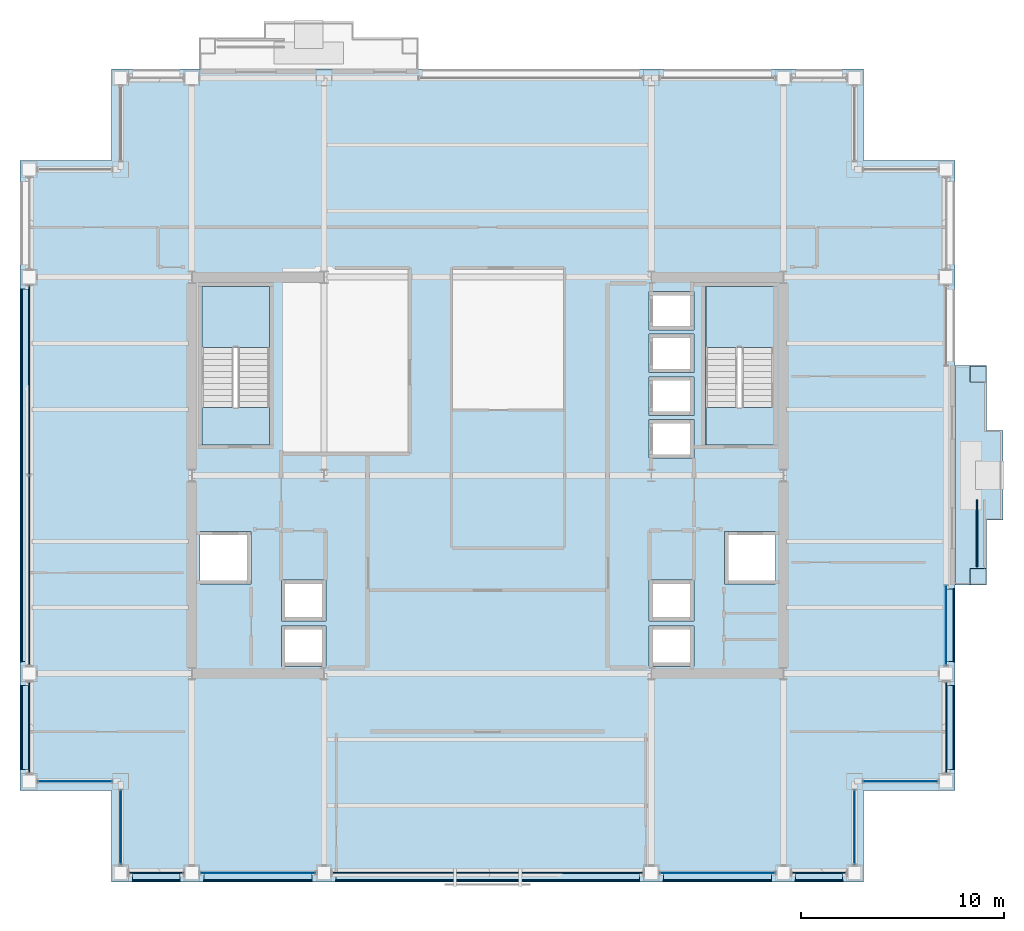
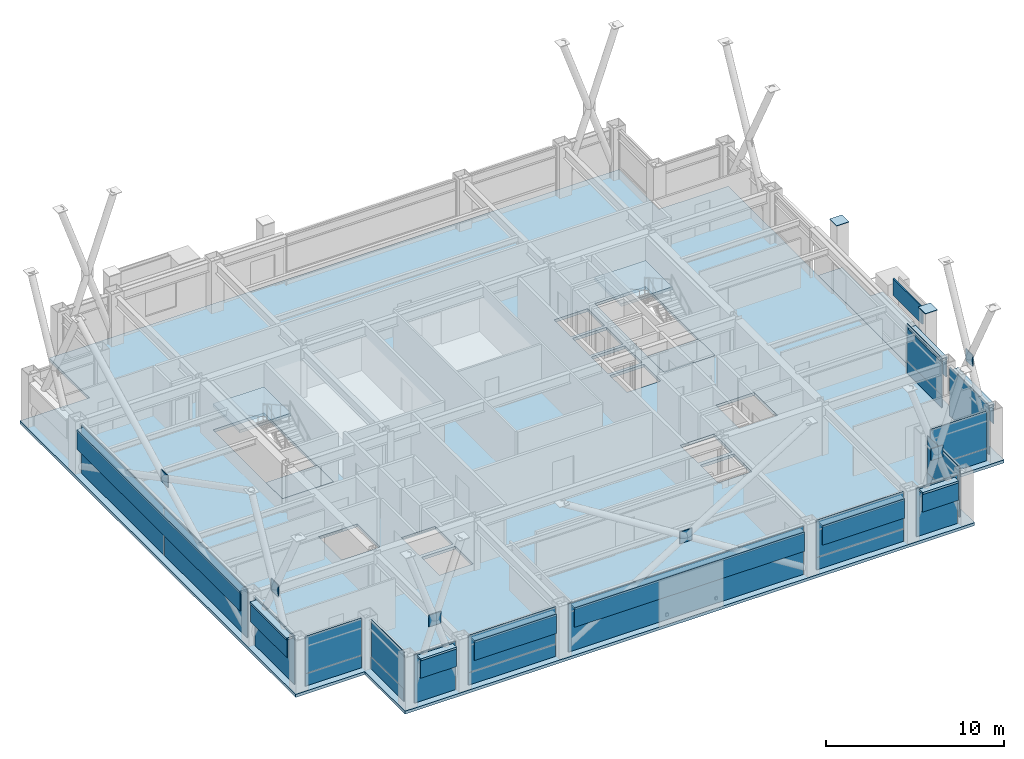
# One storey, part 27 of 35: 48 plates, 6 slabs, 15 elements without a shape of their own.
"""IFC4 building model written with IfcOpenShell, lengths in metres."""

from ifc_helpers import new_model, si_unit, direction, frame, origin, origin_2d, place, context, subcontext, project, spatial, polyline, rectangle, outline, extrude, material, layer, layer_set, type_object, element, aggregate, save


model = new_model("IFC4")

# Units and contexts
model_context = context("Model", 3, precision=1e-05, world=origin(), true_north=direction((0.0, 1.0)))
body_context = subcontext(model_context, "Body", "Model", "MODEL_VIEW")
ifc_project = project(units=[si_unit("LENGTHUNIT", "METRE"), si_unit("AREAUNIT", "SQUARE_METRE"), si_unit("VOLUMEUNIT", "CUBIC_METRE"), si_unit("PLANEANGLEUNIT", "RADIAN"), si_unit("MASSUNIT", "GRAM", prefix="KILO")], contexts=[model_context])

# Site, building, storey
site_placement = place(None, origin())
site = spatial("IfcSite", under=ifc_project, at=site_placement, CompositionType="ELEMENT")
building_placement = place(site_placement, origin())
building = spatial("IfcBuilding", under=site, at=building_placement, Name="Brelmoor Portico Tower", CompositionType="ELEMENT")
storey_placement = place(building_placement, frame((0.0, 0.0, 131.39990234375)))
storey = spatial("IfcBuildingStorey", under=building, at=storey_placement, Name="L34", CompositionType="ELEMENT", Elevation=131.39990234375)

# Plates
ifc_material_1 = material(Name="Steel Q355B", Category="steel")
ifc_layer_1 = layer(ifc_material_1, 0.044921875)
ifc_layer_set_1 = layer_set([ifc_layer_1], Name="Steel Q355B")
plate_type_1 = type_object("IfcPlateType", Name="PT-CAP-650", PredefinedType="SHEET", material=ifc_layer_set_1)
for number, where, z_axis, x_axis, name in (
    (1, (24.1298828125, -4.97998046875, 3.60009765625), (0.0, 0.0, 1.0), (0.0, 1.0, 0.0), "L34 Proud Picture-Frame Pier PFJ-E1 Welded Head Cap Plate"),
    (2, (24.1298828125, 4.97998046875, 3.60009765625), (0.0, 0.0, 1.0), (0.0, 1.0, 0.0), "L34 Proud Picture-Frame Pier PFJ-E2 Welded Head Cap Plate"),
):
    element("IfcPlate", number, at=place(storey_placement, frame(where, z_axis=z_axis, x_axis=x_axis)), inside=storey, type_object=plate_type_1, Name=name, PredefinedType="SHEET", context=body_context, shape_type="SweptSolid", body=[
        extrude(rectangle(XDim=0.7900390625, YDim=0.7900390625, at=origin_2d()), origin(), (0.0, 0.0, 1.0), 0.0400390625),
    ])

# Curtain wall, plate
ifc_material_2 = material(Name="Anodised Aluminium Alloy 6063-T6", Category="aluminium")
ifc_layer_2 = layer(ifc_material_2, 0.179931640625)
ifc_layer_set_2 = layer_set([ifc_layer_2], Name="Anodised Aluminium Alloy 6063-T6")
curtain_wall_type_1 = type_object("IfcCurtainWallType", Name="CW-TOWER-Z2", PredefinedType="NOTDEFINED", material=ifc_layer_set_2)
curtain_wall_1_placement = place(storey_placement, origin())
curtain_wall_1 = element("IfcCurtainWall", 3, at=curtain_wall_1_placement, inside=storey, type_object=curtain_wall_type_1, Name="L34 Curtain Wall CW-L34-01-2", PredefinedType="NOTDEFINED")
ifc_material_3 = material(Name="Double-Silver Low-E Insulated Glazing", Category="glass")
ifc_layer_3 = layer(ifc_material_3, 0.035888671875)
ifc_layer_set_3 = layer_set([ifc_layer_3], Name="Double-Silver Low-E Insulated Glazing")
plate_type_2 = type_object("IfcPlateType", Name="PT-CW-GLASS", PredefinedType="CURTAIN_PANEL", material=ifc_layer_set_3)
plate_1_placement = place(storey_placement, frame((-11.300048828125, -19.550048828125, 0.85009765625), z_axis=(0.0, 0.0, 1.0), x_axis=(1.0, 0.0, 0.0)))
plate_1 = element("IfcPlate", 4, at=plate_1_placement, type_object=plate_type_2, Name="CW-L34-01-2 Vision Glass Panel 00", PredefinedType="CURTAIN_PANEL", context=body_context, shape_type="SweptSolid", body=[
    extrude(rectangle(XDim=5.64990234375, YDim=0.035888671875, at=origin_2d()), origin(), (0.0, 0.0, 1.0), 2.550048828125),
])

curtain_wall_2_placement = place(storey_placement, origin())
curtain_wall_2 = element("IfcCurtainWall", 5, at=curtain_wall_2_placement, inside=storey, type_object=curtain_wall_type_1, Name="L34 Curtain Wall CW-L34-01-4", PredefinedType="NOTDEFINED")
plate_2_placement = place(storey_placement, frame((11.300048828125, -19.550048828125, 0.85009765625), z_axis=(0.0, 0.0, 1.0), x_axis=(1.0, 0.0, 0.0)))
plate_2 = element("IfcPlate", 6, at=plate_2_placement, type_object=plate_type_2, Name="CW-L34-01-4 Vision Glass Panel 00", PredefinedType="CURTAIN_PANEL", context=body_context, shape_type="SweptSolid", body=[
    extrude(rectangle(XDim=5.64990234375, YDim=0.035888671875, at=origin_2d()), origin(), (0.0, 0.0, 1.0), 2.550048828125),
])

curtain_wall_3_placement = place(storey_placement, origin())
curtain_wall_3 = element("IfcCurtainWall", 7, at=curtain_wall_3_placement, inside=storey, type_object=curtain_wall_type_1, Name="L34 Curtain Wall CW-L34-4L-2", PredefinedType="NOTDEFINED")
plate_3_placement = place(storey_placement, frame((22.550048828125, -7.3701171875, 0.85009765625), z_axis=(0.0, 0.0, 1.0), x_axis=(0.0, 1.0, 0.0)))
plate_3 = element("IfcPlate", 8, at=plate_3_placement, type_object=plate_type_2, Name="CW-L34-4L-2 Vision Glass Panel 00", PredefinedType="CURTAIN_PANEL", context=body_context, shape_type="SweptSolid", body=[
    extrude(rectangle(XDim=3.909912109375, YDim=0.035888671875, at=origin_2d()), origin(), (0.0, 0.0, 1.0), 2.550048828125),
])

ifc_layer_4 = layer(ifc_material_2, 0.179931640625)
ifc_layer_set_4 = layer_set([ifc_layer_4], Name="Anodised Aluminium Alloy 6063-T6")
curtain_wall_type_2 = type_object("IfcCurtainWallType", Name="CW-NOTCH-CHAMFER", PredefinedType="NOTDEFINED", material=ifc_layer_set_4)
curtain_wall_4_placement = place(storey_placement, origin())
curtain_wall_4 = element("IfcCurtainWall", 9, at=curtain_wall_4_placement, inside=storey, type_object=curtain_wall_type_2, Name="L34 Curtain Wall CWN-L34-SWH", PredefinedType="NOTDEFINED")
plate_4_placement = place(storey_placement, frame((-20.300048828125, -15.050048828125, 0.85009765625), z_axis=(0.0, 0.0, 1.0), x_axis=(1.0, 0.0, 0.0)))
plate_4 = element("IfcPlate", 10, at=plate_4_placement, type_object=plate_type_2, Name="CWN-L34-SWH Vision Glass Panel 00", PredefinedType="CURTAIN_PANEL", context=body_context, shape_type="SweptSolid", body=[
    extrude(rectangle(XDim=3.64990234375, YDim=0.035888671875, at=origin_2d()), origin(), (0.0, 0.0, 1.0), 2.550048828125),
])

curtain_wall_5_placement = place(storey_placement, origin())
curtain_wall_5 = element("IfcCurtainWall", 11, at=curtain_wall_5_placement, inside=storey, type_object=curtain_wall_type_2, Name="L34 Curtain Wall CWN-L34-SWV", PredefinedType="NOTDEFINED")
plate_5_placement = place(storey_placement, frame((-18.050048828125, -17.300048828125, 0.85009765625), z_axis=(0.0, 0.0, 1.0), x_axis=(0.0, 1.0, 0.0)))
plate_5 = element("IfcPlate", 12, at=plate_5_placement, type_object=plate_type_2, Name="CWN-L34-SWV Vision Glass Panel 00", PredefinedType="CURTAIN_PANEL", context=body_context, shape_type="SweptSolid", body=[
    extrude(rectangle(XDim=3.64990234375, YDim=0.035888671875, at=origin_2d()), origin(), (0.0, 0.0, 1.0), 2.550048828125),
])

curtain_wall_6_placement = place(storey_placement, origin())
curtain_wall_6 = element("IfcCurtainWall", 13, at=curtain_wall_6_placement, inside=storey, type_object=curtain_wall_type_2, Name="L34 Curtain Wall CWN-L34-SEH", PredefinedType="NOTDEFINED")
plate_6_placement = place(storey_placement, frame((20.300048828125, -15.050048828125, 0.85009765625), z_axis=(0.0, 0.0, 1.0), x_axis=(1.0, 0.0, 0.0)))
plate_6 = element("IfcPlate", 14, at=plate_6_placement, type_object=plate_type_2, Name="CWN-L34-SEH Vision Glass Panel 00", PredefinedType="CURTAIN_PANEL", context=body_context, shape_type="SweptSolid", body=[
    extrude(rectangle(XDim=3.64990234375, YDim=0.035888671875, at=origin_2d()), origin(), (0.0, 0.0, 1.0), 2.550048828125),
])

curtain_wall_7_placement = place(storey_placement, origin())
curtain_wall_7 = element("IfcCurtainWall", 15, at=curtain_wall_7_placement, inside=storey, type_object=curtain_wall_type_2, Name="L34 Curtain Wall CWN-L34-SEV", PredefinedType="NOTDEFINED")
plate_7_placement = place(storey_placement, frame((18.050048828125, -17.300048828125, 0.85009765625), z_axis=(0.0, 0.0, 1.0), x_axis=(0.0, 1.0, 0.0)))
plate_7 = element("IfcPlate", 16, at=plate_7_placement, type_object=plate_type_2, Name="CWN-L34-SEV Vision Glass Panel 00", PredefinedType="CURTAIN_PANEL", context=body_context, shape_type="SweptSolid", body=[
    extrude(rectangle(XDim=3.64990234375, YDim=0.035888671875, at=origin_2d()), origin(), (0.0, 0.0, 1.0), 2.550048828125),
])

ifc_layer_5 = layer(ifc_material_2, 0.179931640625)
ifc_layer_set_5 = layer_set([ifc_layer_5], Name="Anodised Aluminium Alloy 6063-T6")
curtain_wall_type_3 = type_object("IfcCurtainWallType", Name="CW-TOWER-Z2-XB", PredefinedType="NOTDEFINED", material=ifc_layer_set_5)
curtain_wall_8_placement = place(storey_placement, origin())
curtain_wall_8 = element("IfcCurtainWall", 17, at=curtain_wall_8_placement, inside=storey, type_object=curtain_wall_type_3, Name="L34 Curtain Wall CW-L34-01-1", PredefinedType="NOTDEFINED")
ifc_material_4 = material(Name="Pale Champagne Anodised Aluminium Panel", Category="aluminium")
ifc_layer_6 = layer(ifc_material_4, 0.050048828125)
ifc_layer_set_6 = layer_set([ifc_layer_6], Name="Pale Champagne Anodised Aluminium Panel")
plate_type_3 = type_object("IfcPlateType", Name="PT-CW-SPANDREL", PredefinedType="SHEET", material=ifc_layer_set_6)
plate_8_placement = place(storey_placement, frame((-16.300048828125, -19.550048828125, 0.0), z_axis=(0.0, 0.0, 1.0), x_axis=(1.0, 0.0, 0.0)))
plate_8 = element("IfcPlate", 18, at=plate_8_placement, type_object=plate_type_3, Name="CW-L34-01-1 Spandrel Panel 00", PredefinedType="SHEET", context=body_context, shape_type="SweptSolid", body=[
    extrude(rectangle(XDim=2.64990234375, YDim=0.050048828125, at=origin_2d()), origin(), (0.0, 0.0, 1.0), 3.330078125),
])
aggregate(curtain_wall_8, [plate_8])

# Plate
plate_9_placement = place(storey_placement, frame((-11.300048828125, -19.550048828125, 0.0), z_axis=(0.0, 0.0, 1.0), x_axis=(1.0, 0.0, 0.0)))
plate_9 = element("IfcPlate", 19, at=plate_9_placement, type_object=plate_type_3, Name="CW-L34-01-2 Spandrel Panel 00", PredefinedType="SHEET", context=body_context, shape_type="SweptSolid", body=[
    extrude(rectangle(XDim=5.64990234375, YDim=0.050048828125, at=origin_2d()), origin(), (0.0, 0.0, 1.0), 0.85009765625),
])

aggregate(curtain_wall_1, [plate_9, plate_1])

# Curtain wall, plate
curtain_wall_9_placement = place(storey_placement, origin())
curtain_wall_9 = element("IfcCurtainWall", 20, at=curtain_wall_9_placement, inside=storey, type_object=curtain_wall_type_3, Name="L34 Curtain Wall CW-L34-01-3", PredefinedType="NOTDEFINED")
plate_10_placement = place(storey_placement, frame((0.0, -19.550048828125, 0.0), z_axis=(0.0, 0.0, 1.0), x_axis=(1.0, 0.0, 0.0)))
plate_10 = element("IfcPlate", 21, at=plate_10_placement, type_object=plate_type_3, Name="CW-L34-01-3 Spandrel Panel 00", PredefinedType="SHEET", context=body_context, shape_type="SweptSolid", body=[
    extrude(rectangle(XDim=15.25, YDim=0.050048828125, at=origin_2d()), origin(), (0.0, 0.0, 1.0), 3.330078125),
])
aggregate(curtain_wall_9, [plate_10])

# Plate
plate_11_placement = place(storey_placement, frame((11.300048828125, -19.550048828125, 0.0), z_axis=(0.0, 0.0, 1.0), x_axis=(1.0, 0.0, 0.0)))
plate_11 = element("IfcPlate", 22, at=plate_11_placement, type_object=plate_type_3, Name="CW-L34-01-4 Spandrel Panel 00", PredefinedType="SHEET", context=body_context, shape_type="SweptSolid", body=[
    extrude(rectangle(XDim=5.64990234375, YDim=0.050048828125, at=origin_2d()), origin(), (0.0, 0.0, 1.0), 0.85009765625),
])

aggregate(curtain_wall_2, [plate_11, plate_2])

# Curtain wall, plate
curtain_wall_10_placement = place(storey_placement, origin())
curtain_wall_10 = element("IfcCurtainWall", 23, at=curtain_wall_10_placement, inside=storey, type_object=curtain_wall_type_3, Name="L34 Curtain Wall CW-L34-01-5", PredefinedType="NOTDEFINED")
plate_12_placement = place(storey_placement, frame((16.300048828125, -19.550048828125, 0.0), z_axis=(0.0, 0.0, 1.0), x_axis=(1.0, 0.0, 0.0)))
plate_12 = element("IfcPlate", 24, at=plate_12_placement, type_object=plate_type_3, Name="CW-L34-01-5 Spandrel Panel 00", PredefinedType="SHEET", context=body_context, shape_type="SweptSolid", body=[
    extrude(rectangle(XDim=2.64990234375, YDim=0.050048828125, at=origin_2d()), origin(), (0.0, 0.0, 1.0), 3.330078125),
])
aggregate(curtain_wall_10, [plate_12])

curtain_wall_11_placement = place(storey_placement, origin())
curtain_wall_11 = element("IfcCurtainWall", 25, at=curtain_wall_11_placement, inside=storey, type_object=curtain_wall_type_3, Name="L34 Curtain Wall CW-L34-03-1", PredefinedType="NOTDEFINED")
plate_13_placement = place(storey_placement, frame((-22.550048828125, -12.39990234375, 0.0), z_axis=(0.0, 0.0, 1.0), x_axis=(0.0, 1.0, 0.0)))
plate_13 = element("IfcPlate", 26, at=plate_13_placement, type_object=plate_type_3, Name="CW-L34-03-1 Spandrel Panel 00", PredefinedType="SHEET", context=body_context, shape_type="SweptSolid", body=[
    extrude(rectangle(XDim=4.449951171875, YDim=0.050048828125, at=origin_2d()), origin(), (0.0, 0.0, 1.0), 3.330078125),
])
aggregate(curtain_wall_11, [plate_13])

# Curtain wall, plates
curtain_wall_12_placement = place(storey_placement, origin())
curtain_wall_12 = element("IfcCurtainWall", 27, at=curtain_wall_12_placement, inside=storey, type_object=curtain_wall_type_3, Name="L34 Curtain Wall CW-L34-03-2", PredefinedType="NOTDEFINED")
plate_14_placement = place(storey_placement, frame((-22.550048828125, -4.669921875, 0.0), z_axis=(0.0, 0.0, 1.0), x_axis=(0.0, 1.0, 0.0)))
plate_14 = element("IfcPlate", 28, at=plate_14_placement, type_object=plate_type_3, Name="CW-L34-03-2 Spandrel Panel 00", PredefinedType="SHEET", context=body_context, shape_type="SweptSolid", body=[
    extrude(rectangle(XDim=9.31005859375, YDim=0.050048828125, at=origin_2d()), origin(), (0.0, 0.0, 1.0), 3.330078125),
])
plate_15_placement = place(storey_placement, frame((-22.550048828125, 4.669921875, 0.0), z_axis=(0.0, 0.0, 1.0), x_axis=(0.0, 1.0, 0.0)))
plate_15 = element("IfcPlate", 29, at=plate_15_placement, type_object=plate_type_3, Name="CW-L34-03-2 Spandrel Panel 01", PredefinedType="SHEET", context=body_context, shape_type="SweptSolid", body=[
    extrude(rectangle(XDim=9.31005859375, YDim=0.050048828125, at=origin_2d()), origin(), (0.0, 0.0, 1.0), 3.330078125),
])
aggregate(curtain_wall_12, [plate_14, plate_15])

# Curtain wall, plate
curtain_wall_13_placement = place(storey_placement, origin())
curtain_wall_13 = element("IfcCurtainWall", 30, at=curtain_wall_13_placement, inside=storey, type_object=curtain_wall_type_3, Name="L34 Curtain Wall CW-L34-4L-1", PredefinedType="NOTDEFINED")
plate_16_placement = place(storey_placement, frame((22.550048828125, -12.39990234375, 0.0), z_axis=(0.0, 0.0, 1.0), x_axis=(0.0, 1.0, 0.0)))
plate_16 = element("IfcPlate", 31, at=plate_16_placement, type_object=plate_type_3, Name="CW-L34-4L-1 Spandrel Panel 00", PredefinedType="SHEET", context=body_context, shape_type="SweptSolid", body=[
    extrude(rectangle(XDim=4.449951171875, YDim=0.050048828125, at=origin_2d()), origin(), (0.0, 0.0, 1.0), 3.330078125),
])
aggregate(curtain_wall_13, [plate_16])

# Plate
plate_17_placement = place(storey_placement, frame((22.550048828125, -7.3701171875, 0.0), z_axis=(0.0, 0.0, 1.0), x_axis=(0.0, 1.0, 0.0)))
plate_17 = element("IfcPlate", 32, at=plate_17_placement, type_object=plate_type_3, Name="CW-L34-4L-2 Spandrel Panel 00", PredefinedType="SHEET", context=body_context, shape_type="SweptSolid", body=[
    extrude(rectangle(XDim=3.909912109375, YDim=0.050048828125, at=origin_2d()), origin(), (0.0, 0.0, 1.0), 0.85009765625),
])

aggregate(curtain_wall_3, [plate_17, plate_3])

plate_18_placement = place(storey_placement, frame((-20.300048828125, -15.050048828125, 0.0), z_axis=(0.0, 0.0, 1.0), x_axis=(1.0, 0.0, 0.0)))
plate_18 = element("IfcPlate", 33, at=plate_18_placement, type_object=plate_type_3, Name="CWN-L34-SWH Spandrel Panel 00", PredefinedType="SHEET", context=body_context, shape_type="SweptSolid", body=[
    extrude(rectangle(XDim=3.64990234375, YDim=0.050048828125, at=origin_2d()), origin(), (0.0, 0.0, 1.0), 0.85009765625),
])

aggregate(curtain_wall_4, [plate_18, plate_4])

plate_19_placement = place(storey_placement, frame((-18.050048828125, -17.300048828125, 0.0), z_axis=(0.0, 0.0, 1.0), x_axis=(0.0, 1.0, 0.0)))
plate_19 = element("IfcPlate", 34, at=plate_19_placement, type_object=plate_type_3, Name="CWN-L34-SWV Spandrel Panel 00", PredefinedType="SHEET", context=body_context, shape_type="SweptSolid", body=[
    extrude(rectangle(XDim=3.64990234375, YDim=0.050048828125, at=origin_2d()), origin(), (0.0, 0.0, 1.0), 0.85009765625),
])

aggregate(curtain_wall_5, [plate_19, plate_5])

plate_20_placement = place(storey_placement, frame((20.300048828125, -15.050048828125, 0.0), z_axis=(0.0, 0.0, 1.0), x_axis=(1.0, 0.0, 0.0)))
plate_20 = element("IfcPlate", 35, at=plate_20_placement, type_object=plate_type_3, Name="CWN-L34-SEH Spandrel Panel 00", PredefinedType="SHEET", context=body_context, shape_type="SweptSolid", body=[
    extrude(rectangle(XDim=3.64990234375, YDim=0.050048828125, at=origin_2d()), origin(), (0.0, 0.0, 1.0), 0.85009765625),
])

aggregate(curtain_wall_6, [plate_20, plate_6])

plate_21_placement = place(storey_placement, frame((18.050048828125, -17.300048828125, 0.0), z_axis=(0.0, 0.0, 1.0), x_axis=(0.0, 1.0, 0.0)))
plate_21 = element("IfcPlate", 36, at=plate_21_placement, type_object=plate_type_3, Name="CWN-L34-SEV Spandrel Panel 00", PredefinedType="SHEET", context=body_context, shape_type="SweptSolid", body=[
    extrude(rectangle(XDim=3.64990234375, YDim=0.050048828125, at=origin_2d()), origin(), (0.0, 0.0, 1.0), 0.85009765625),
])

aggregate(curtain_wall_7, [plate_21, plate_7])

# Plates
ifc_layer_7 = layer(ifc_material_1, 0.050048828125)
ifc_layer_set_7 = layer_set([ifc_layer_7], Name="Steel Q355B")
plate_type_4 = type_object("IfcPlateType", Name="PT-GUSSET-800", PredefinedType="USERDEFINED", material=ifc_layer_set_7)
for number, where, z_axis, x_axis, name in (
    (37, (-16.300048828125, -19.550048828125, 4.89990234375), (0.0, 0.0, 1.0), (1.0, 0.0, 0.0), "L34 Perimeter Mega-Brace Gusset 074"),
    (38, (0.0, -19.550048828125, 4.89990234375), (0.0, 0.0, 1.0), (1.0, 0.0, 0.0), "L34 Perimeter Mega-Brace Gusset 075"),
    (39, (16.300048828125, -19.550048828125, 4.89990234375), (0.0, 0.0, 1.0), (1.0, 0.0, 0.0), "L34 Perimeter Mega-Brace Gusset 076"),
):
    element("IfcPlate", number, at=place(storey_placement, frame(where, z_axis=z_axis, x_axis=x_axis)), inside=storey, type_object=plate_type_4, Name=name, ObjectType="GUSSET PLATE", PredefinedType="USERDEFINED", context=body_context, shape_type="SweptSolid", body=[
        extrude(rectangle(XDim=0.800048828125, YDim=0.050048828125, at=origin_2d()), origin(), (0.0, 0.0, 1.0), 0.800048828125),
    ])
for number, where, z_axis, x_axis, name in (
    (40, (-22.550048828125, -12.39990234375, 4.89990234375), (0.0, 0.0, 1.0), (1.0, 0.0, 0.0), "L34 Perimeter Mega-Brace Gusset 079"),
    (41, (-22.550048828125, 0.0, 4.89990234375), (0.0, 0.0, 1.0), (1.0, 0.0, 0.0), "L34 Perimeter Mega-Brace Gusset 080"),
    (42, (22.550048828125, -12.39990234375, 4.89990234375), (0.0, 0.0, 1.0), (1.0, 0.0, 0.0), "L34 Perimeter Mega-Brace Gusset 082"),
):
    element("IfcPlate", number, at=place(storey_placement, frame(where, z_axis=z_axis, x_axis=x_axis)), inside=storey, type_object=plate_type_4, Name=name, ObjectType="GUSSET PLATE", PredefinedType="USERDEFINED", context=body_context, shape_type="SweptSolid", body=[
        extrude(rectangle(XDim=0.050048828125, YDim=0.800048828125, at=origin_2d()), origin(), (0.0, 0.0, 1.0), 0.800048828125),
    ])
ifc_material_5 = material(Name="Powder-Coated Aluminium Shuttered Jalousie Louvre", Category="aluminium")
ifc_layer_8 = layer(ifc_material_5, 0.06005859375)
ifc_layer_set_8 = layer_set([ifc_layer_8], Name="Powder-Coated Aluminium Shuttered Jalousie Louvre")
plate_type_5 = type_object("IfcPlateType", Name="PT-JALOUSIE-SHUTTER", PredefinedType="SHEET", material=ifc_layer_set_8)
plate_22_placement = place(storey_placement, frame((-16.300048828125, -19.929931640625, 1.8740234375), z_axis=(0.0, 0.0, 1.0), x_axis=(1.0, 0.0, 0.0)))
element("IfcPlate", 43, at=plate_22_placement, inside=storey, type_object=plate_type_5, Name="CW-L34-01-1 Perforated Jalousie Solar Screen", PredefinedType="SHEET", context=body_context, shape_type="SweptSolid", body=[
    extrude(rectangle(XDim=2.320068359375, YDim=0.06494140625, at=origin_2d()), origin(), (0.0, 0.0, 1.0), 1.325927734375),
])
plate_23_placement = place(storey_placement, frame((-11.300048828125, -19.929931640625, 1.8740234375), z_axis=(0.0, 0.0, 1.0), x_axis=(1.0, 0.0, 0.0)))
element("IfcPlate", 44, at=plate_23_placement, inside=storey, type_object=plate_type_5, Name="CW-L34-01-2 Perforated Jalousie Solar Screen", PredefinedType="SHEET", context=body_context, shape_type="SweptSolid", body=[
    extrude(rectangle(XDim=5.320068359375, YDim=0.06494140625, at=origin_2d()), origin(), (0.0, 0.0, 1.0), 1.325927734375),
])
plate_24_placement = place(storey_placement, frame((0.0, -19.929931640625, 1.8740234375), z_axis=(0.0, 0.0, 1.0), x_axis=(1.0, 0.0, 0.0)))
element("IfcPlate", 45, at=plate_24_placement, inside=storey, type_object=plate_type_5, Name="CW-L34-01-3 Perforated Jalousie Solar Screen", PredefinedType="SHEET", context=body_context, shape_type="SweptSolid", body=[
    extrude(rectangle(XDim=14.919921875, YDim=0.06494140625, at=origin_2d()), origin(), (0.0, 0.0, 1.0), 1.325927734375),
])
plate_25_placement = place(storey_placement, frame((11.300048828125, -19.929931640625, 1.8740234375), z_axis=(0.0, 0.0, 1.0), x_axis=(1.0, 0.0, 0.0)))
element("IfcPlate", 46, at=plate_25_placement, inside=storey, type_object=plate_type_5, Name="CW-L34-01-4 Perforated Jalousie Solar Screen", PredefinedType="SHEET", context=body_context, shape_type="SweptSolid", body=[
    extrude(rectangle(XDim=5.320068359375, YDim=0.06494140625, at=origin_2d()), origin(), (0.0, 0.0, 1.0), 1.325927734375),
])
plate_26_placement = place(storey_placement, frame((16.300048828125, -19.929931640625, 1.8740234375), z_axis=(0.0, 0.0, 1.0), x_axis=(1.0, 0.0, 0.0)))
element("IfcPlate", 47, at=plate_26_placement, inside=storey, type_object=plate_type_5, Name="CW-L34-01-5 Perforated Jalousie Solar Screen", PredefinedType="SHEET", context=body_context, shape_type="SweptSolid", body=[
    extrude(rectangle(XDim=2.320068359375, YDim=0.06494140625, at=origin_2d()), origin(), (0.0, 0.0, 1.0), 1.325927734375),
])
plate_27_placement = place(storey_placement, frame((-22.929931640625, -12.39990234375, 1.8740234375), z_axis=(0.0, 0.0, 1.0), x_axis=(0.0, 1.0, 0.0)))
element("IfcPlate", 48, at=plate_27_placement, inside=storey, type_object=plate_type_5, Name="CW-L34-03-1 Perforated Jalousie Solar Screen", PredefinedType="SHEET", context=body_context, shape_type="SweptSolid", body=[
    extrude(rectangle(XDim=4.1201171875, YDim=0.06494140625, at=origin_2d()), origin(), (0.0, 0.0, 1.0), 1.325927734375),
])
plate_28_placement = place(storey_placement, frame((-22.929931640625, 0.0, 1.8740234375), z_axis=(0.0, 0.0, 1.0), x_axis=(0.0, 1.0, 0.0)))
element("IfcPlate", 49, at=plate_28_placement, inside=storey, type_object=plate_type_5, Name="CW-L34-03-2 Perforated Jalousie Solar Screen", PredefinedType="SHEET", context=body_context, shape_type="SweptSolid", body=[
    extrude(rectangle(XDim=18.320068359375, YDim=0.06494140625, at=origin_2d()), origin(), (0.0, 0.0, 1.0), 1.325927734375),
])
plate_29_placement = place(storey_placement, frame((22.929931640625, -12.39990234375, 1.8740234375), z_axis=(0.0, 0.0, 1.0), x_axis=(0.0, 1.0, 0.0)))
element("IfcPlate", 50, at=plate_29_placement, inside=storey, type_object=plate_type_5, Name="CW-L34-4L-1 Perforated Jalousie Solar Screen", PredefinedType="SHEET", context=body_context, shape_type="SweptSolid", body=[
    extrude(rectangle(XDim=4.1201171875, YDim=0.06494140625, at=origin_2d()), origin(), (0.0, 0.0, 1.0), 1.325927734375),
])
plate_30_placement = place(storey_placement, frame((22.929931640625, -7.3701171875, 1.8740234375), z_axis=(0.0, 0.0, 1.0), x_axis=(0.0, 1.0, 0.0)))
element("IfcPlate", 51, at=plate_30_placement, inside=storey, type_object=plate_type_5, Name="CW-L34-4L-2 Perforated Jalousie Solar Screen", PredefinedType="SHEET", context=body_context, shape_type="SweptSolid", body=[
    extrude(rectangle(XDim=3.580078125, YDim=0.06494140625, at=origin_2d()), origin(), (0.0, 0.0, 1.0), 1.325927734375),
])
plate_31_placement = place(storey_placement, frame((24.080078125, -2.85009765625, 2.275146484375), z_axis=(0.0, 0.0, 1.0), x_axis=(0.0, 1.0, 0.0)))
element("IfcPlate", 52, at=plate_31_placement, inside=storey, type_object=plate_type_5, Name="L34 Shuttered Veranda Screen E", PredefinedType="SHEET", context=body_context, shape_type="SweptSolid", body=[
    extrude(rectangle(XDim=3.300048828125, YDim=0.080078125, at=origin_2d()), origin(), (0.0, 0.0, 1.0), 1.14990234375),
])
ifc_material_6 = material(Name="Pale Champagne Perforated Aluminium Solar Screen", Category="aluminium")
ifc_layer_9 = layer(ifc_material_6, 0.054931640625)
ifc_layer_set_9 = layer_set([ifc_layer_9], Name="Pale Champagne Perforated Aluminium Solar Screen")
plate_type_6 = type_object("IfcPlateType", Name="PT-SOLAR-LOUVRE", PredefinedType="SHEET", material=ifc_layer_set_9)
plate_32_placement = place(storey_placement, frame((-16.300048828125, -19.760009765625, 3.09033203125), z_axis=(0.0, 0.0, 1.0), x_axis=(1.0, 0.0, 0.0)))
element("IfcPlate", 53, at=plate_32_placement, inside=storey, type_object=plate_type_6, Name="CW-L34-01-1 Caribbean Brise-Soleil Solar Screen", PredefinedType="SHEET", context=body_context, shape_type="SweptSolid", body=[
    extrude(rectangle(XDim=2.320068359375, YDim=0.4599609375, at=origin_2d()), origin(), (0.0, 0.0, 1.0), 0.139892578125),
])
plate_33_placement = place(storey_placement, frame((-11.300048828125, -19.760009765625, 3.09033203125), z_axis=(0.0, 0.0, 1.0), x_axis=(1.0, 0.0, 0.0)))
element("IfcPlate", 54, at=plate_33_placement, inside=storey, type_object=plate_type_6, Name="CW-L34-01-2 Caribbean Brise-Soleil Solar Screen", PredefinedType="SHEET", context=body_context, shape_type="SweptSolid", body=[
    extrude(rectangle(XDim=5.320068359375, YDim=0.4599609375, at=origin_2d()), origin(), (0.0, 0.0, 1.0), 0.139892578125),
])
plate_34_placement = place(storey_placement, frame((0.0, -19.760009765625, 3.09033203125), z_axis=(0.0, 0.0, 1.0), x_axis=(1.0, 0.0, 0.0)))
element("IfcPlate", 55, at=plate_34_placement, inside=storey, type_object=plate_type_6, Name="CW-L34-01-3 Caribbean Brise-Soleil Solar Screen", PredefinedType="SHEET", context=body_context, shape_type="SweptSolid", body=[
    extrude(rectangle(XDim=14.919921875, YDim=0.4599609375, at=origin_2d()), origin(), (0.0, 0.0, 1.0), 0.139892578125),
])
plate_35_placement = place(storey_placement, frame((11.300048828125, -19.760009765625, 3.09033203125), z_axis=(0.0, 0.0, 1.0), x_axis=(1.0, 0.0, 0.0)))
element("IfcPlate", 56, at=plate_35_placement, inside=storey, type_object=plate_type_6, Name="CW-L34-01-4 Caribbean Brise-Soleil Solar Screen", PredefinedType="SHEET", context=body_context, shape_type="SweptSolid", body=[
    extrude(rectangle(XDim=5.320068359375, YDim=0.4599609375, at=origin_2d()), origin(), (0.0, 0.0, 1.0), 0.139892578125),
])
plate_36_placement = place(storey_placement, frame((16.300048828125, -19.760009765625, 3.09033203125), z_axis=(0.0, 0.0, 1.0), x_axis=(1.0, 0.0, 0.0)))
element("IfcPlate", 57, at=plate_36_placement, inside=storey, type_object=plate_type_6, Name="CW-L34-01-5 Caribbean Brise-Soleil Solar Screen", PredefinedType="SHEET", context=body_context, shape_type="SweptSolid", body=[
    extrude(rectangle(XDim=2.320068359375, YDim=0.4599609375, at=origin_2d()), origin(), (0.0, 0.0, 1.0), 0.139892578125),
])
plate_37_placement = place(storey_placement, frame((-22.760009765625, -12.39990234375, 3.09033203125), z_axis=(0.0, 0.0, 1.0), x_axis=(0.0, 1.0, 0.0)))
element("IfcPlate", 58, at=plate_37_placement, inside=storey, type_object=plate_type_6, Name="CW-L34-03-1 Caribbean Brise-Soleil Solar Screen", PredefinedType="SHEET", context=body_context, shape_type="SweptSolid", body=[
    extrude(rectangle(XDim=4.1201171875, YDim=0.4599609375, at=origin_2d()), origin(), (0.0, 0.0, 1.0), 0.139892578125),
])
plate_38_placement = place(storey_placement, frame((-22.760009765625, 0.0, 3.09033203125), z_axis=(0.0, 0.0, 1.0), x_axis=(0.0, 1.0, 0.0)))
element("IfcPlate", 59, at=plate_38_placement, inside=storey, type_object=plate_type_6, Name="CW-L34-03-2 Caribbean Brise-Soleil Solar Screen", PredefinedType="SHEET", context=body_context, shape_type="SweptSolid", body=[
    extrude(rectangle(XDim=18.320068359375, YDim=0.4599609375, at=origin_2d()), origin(), (0.0, 0.0, 1.0), 0.139892578125),
])
plate_39_placement = place(storey_placement, frame((22.760009765625, -12.39990234375, 3.09033203125), z_axis=(0.0, 0.0, 1.0), x_axis=(0.0, 1.0, 0.0)))
element("IfcPlate", 60, at=plate_39_placement, inside=storey, type_object=plate_type_6, Name="CW-L34-4L-1 Caribbean Brise-Soleil Solar Screen", PredefinedType="SHEET", context=body_context, shape_type="SweptSolid", body=[
    extrude(rectangle(XDim=4.1201171875, YDim=0.4599609375, at=origin_2d()), origin(), (0.0, 0.0, 1.0), 0.139892578125),
])
plate_40_placement = place(storey_placement, frame((22.760009765625, -7.3701171875, 3.09033203125), z_axis=(0.0, 0.0, 1.0), x_axis=(0.0, 1.0, 0.0)))
element("IfcPlate", 61, at=plate_40_placement, inside=storey, type_object=plate_type_6, Name="CW-L34-4L-2 Caribbean Brise-Soleil Solar Screen", PredefinedType="SHEET", context=body_context, shape_type="SweptSolid", body=[
    extrude(rectangle(XDim=3.580078125, YDim=0.4599609375, at=origin_2d()), origin(), (0.0, 0.0, 1.0), 0.139892578125),
])

# Slabs
ifc_material_7 = material(Name="Concrete C40", Category="concrete")
ifc_layer_10 = layer(ifc_material_7, 0.199951171875)
ifc_layer_set_10 = layer_set([ifc_layer_10], Name="Concrete C40")
slab_type_1 = type_object("IfcSlabType", Name="SL-BALCONY-200", PredefinedType="FLOOR", material=ifc_layer_set_10)
slab_1_placement = place(storey_placement, frame((0.0, 0.0, -0.199951171875)))
element("IfcSlab", 62, at=slab_1_placement, inside=storey, type_object=slab_type_1, Name="L34 Loggia Tree Balcony Slab E", PredefinedType="FLOOR", context=body_context, shape_type="SweptSolid", body=[
    extrude(outline(polyline([(23.0, -5.39990234375), (24.550048828125, -5.39990234375), (24.550048828125, -2.199951171875), (25.35009765625, -2.199951171875), (25.35009765625, 2.199951171875), (24.550048828125, 2.199951171875), (24.550048828125, 5.39990234375), (23.0, 5.39990234375), (23.0, -5.39990234375)])), origin(), (0.0, 0.0, 1.0), 0.199951171875),
])
ifc_layer_11 = layer(ifc_material_7, 0.199951171875)
ifc_layer_set_11 = layer_set([ifc_layer_11], Name="Concrete C40")
slab_type_2 = type_object("IfcSlabType", Name="SL-FLOOR-200", PredefinedType="FLOOR", material=ifc_layer_set_11)
slab_2_placement = place(storey_placement, frame((0.0, 0.0, -0.199951171875)))
element("IfcSlab", 63, at=slab_2_placement, inside=storey, type_object=slab_type_2, Name="L34 Main Structural Floor Slab", PredefinedType="FLOOR", context=body_context, shape_type="SweptSolid", body=[
    extrude(outline(polyline([(-18.5, -20.0), (18.5, -20.0), (18.5, -15.5), (23.0, -15.5), (23.0, 15.5), (18.5, 15.5), (18.5, 20.0), (-18.5, 20.0), (-18.5, 15.5), (-23.0, 15.5), (-23.0, -15.5), (-18.5, -15.5), (-18.5, -20.0)]), holes=[polyline([(-10.72998046875, 1.5), (-10.72998046875, 9.300048828125), (-14.050048828125, 9.300048828125), (-14.050048828125, 1.5), (-10.72998046875, 1.5)]), polyline([(14.050048828125, 1.5), (14.050048828125, 9.300048828125), (10.72998046875, 9.300048828125), (10.72998046875, 1.5), (14.050048828125, 1.5)]), polyline([(7.949951171875, 0.85009765625), (10.14990234375, 0.85009765625), (10.14990234375, 2.75), (7.949951171875, 2.75), (7.949951171875, 0.85009765625)]), polyline([(7.949951171875, 2.949951171875), (10.14990234375, 2.949951171875), (10.14990234375, 4.85009765625), (7.949951171875, 4.85009765625), (7.949951171875, 2.949951171875)]), polyline([(7.949951171875, 5.050048828125), (10.14990234375, 5.050048828125), (10.14990234375, 6.949951171875), (7.949951171875, 6.949951171875), (7.949951171875, 5.050048828125)]), polyline([(7.949951171875, 7.14990234375), (10.14990234375, 7.14990234375), (10.14990234375, 9.050048828125), (7.949951171875, 9.050048828125), (7.949951171875, 7.14990234375)]), polyline([(-10.14990234375, -9.39990234375), (-7.949951171875, -9.39990234375), (-7.949951171875, -7.39990234375), (-10.14990234375, -7.39990234375), (-10.14990234375, -9.39990234375)]), polyline([(-10.14990234375, -7.14990234375), (-7.949951171875, -7.14990234375), (-7.949951171875, -5.14990234375), (-10.14990234375, -5.14990234375), (-10.14990234375, -7.14990234375)]), polyline([(7.949951171875, -9.39990234375), (10.14990234375, -9.39990234375), (10.14990234375, -7.39990234375), (7.949951171875, -7.39990234375), (7.949951171875, -9.39990234375)]), polyline([(7.949951171875, -7.14990234375), (10.14990234375, -7.14990234375), (10.14990234375, -5.14990234375), (7.949951171875, -5.14990234375), (7.949951171875, -7.14990234375)]), polyline([(-14.14990234375, -5.35009765625), (-11.64990234375, -5.35009765625), (-11.64990234375, -2.75), (-14.14990234375, -2.75), (-14.14990234375, -5.35009765625)]), polyline([(11.64990234375, -5.35009765625), (14.14990234375, -5.35009765625), (14.14990234375, -2.75), (11.64990234375, -2.75), (11.64990234375, -5.35009765625)])]), origin(), (0.0, 0.0, 1.0), 0.199951171875),
])

# Stair, slab
stair_type_1 = type_object("IfcStairType", Name="ST-CORE-W", PredefinedType="HALF_TURN_STAIR", material=ifc_material_7)
stair_1_placement = place(storey_placement, origin())
stair_1 = element("IfcStair", 64, at=stair_1_placement, inside=storey, type_object=stair_type_1, Name="L34 Protected Core Exit Stair ST-W", PredefinedType="HALF_TURN_STAIR")
ifc_layer_12 = layer(ifc_material_7, 0.179931640625)
ifc_layer_set_12 = layer_set([ifc_layer_12], Name="Concrete C40")
slab_type_3 = type_object("IfcSlabType", Name="SL-LANDING-180", PredefinedType="LANDING", material=ifc_layer_set_12)
slab_3_placement = place(storey_placement, frame((0.0, 0.0, 1.60009765625)))
slab_3 = element("IfcSlab", 65, at=slab_3_placement, type_object=slab_type_3, Name="ST-W landing 1", PredefinedType="LANDING", context=body_context, shape_type="SweptSolid", body=[
    extrude(outline(polyline([(-10.72998046875, 6.300048828125), (-10.72998046875, 9.300048828125), (-14.050048828125, 9.300048828125), (-14.050048828125, 6.300048828125), (-10.72998046875, 6.300048828125)])), origin(), (0.0, 0.0, 1.0), 0.199951171875),
])
aggregate(stair_1, [slab_3])

stair_type_2 = type_object("IfcStairType", Name="ST-CORE-E", PredefinedType="HALF_TURN_STAIR", material=ifc_material_7)
stair_2_placement = place(storey_placement, origin())
stair_2 = element("IfcStair", 66, at=stair_2_placement, inside=storey, type_object=stair_type_2, Name="L34 Protected Core Exit Stair ST-E", PredefinedType="HALF_TURN_STAIR")
slab_4_placement = place(storey_placement, frame((0.0, 0.0, 1.60009765625)))
slab_4 = element("IfcSlab", 67, at=slab_4_placement, type_object=slab_type_3, Name="ST-E landing 1", PredefinedType="LANDING", context=body_context, shape_type="SweptSolid", body=[
    extrude(outline(polyline([(14.050048828125, 6.300048828125), (14.050048828125, 9.300048828125), (10.72998046875, 9.300048828125), (10.72998046875, 6.300048828125), (14.050048828125, 6.300048828125)])), origin(), (0.0, 0.0, 1.0), 0.199951171875),
])
aggregate(stair_2, [slab_4])

# Slabs
ifc_layer_13 = layer(ifc_material_7, 0.199951171875)
ifc_layer_set_13 = layer_set([ifc_layer_13], Name="Concrete C40")
slab_type_4 = type_object("IfcSlabType", Name="SL-STAIR-FL200", PredefinedType="LANDING", material=ifc_layer_set_13)
slab_5_placement = place(storey_placement, frame((0.0, 0.0, -0.199951171875)))
element("IfcSlab", 68, at=slab_5_placement, inside=storey, type_object=slab_type_4, Name="L34 ST-W Structural Floor Landing Slab", PredefinedType="LANDING", context=body_context, shape_type="SweptSolid", body=[
    extrude(outline(polyline([(-10.72998046875, 1.5), (-10.72998046875, 3.35009765625), (-14.050048828125, 3.35009765625), (-14.050048828125, 1.5), (-10.72998046875, 1.5)])), origin(), (0.0, 0.0, 1.0), 0.199951171875),
])
slab_6_placement = place(storey_placement, frame((0.0, 0.0, -0.199951171875)))
element("IfcSlab", 69, at=slab_6_placement, inside=storey, type_object=slab_type_4, Name="L34 ST-E Structural Floor Landing Slab", PredefinedType="LANDING", context=body_context, shape_type="SweptSolid", body=[
    extrude(outline(polyline([(14.050048828125, 1.5), (14.050048828125, 3.35009765625), (10.72998046875, 3.35009765625), (10.72998046875, 1.5), (14.050048828125, 1.5)])), origin(), (0.0, 0.0, 1.0), 0.199951171875),
])

save(model, "model.ifc")
